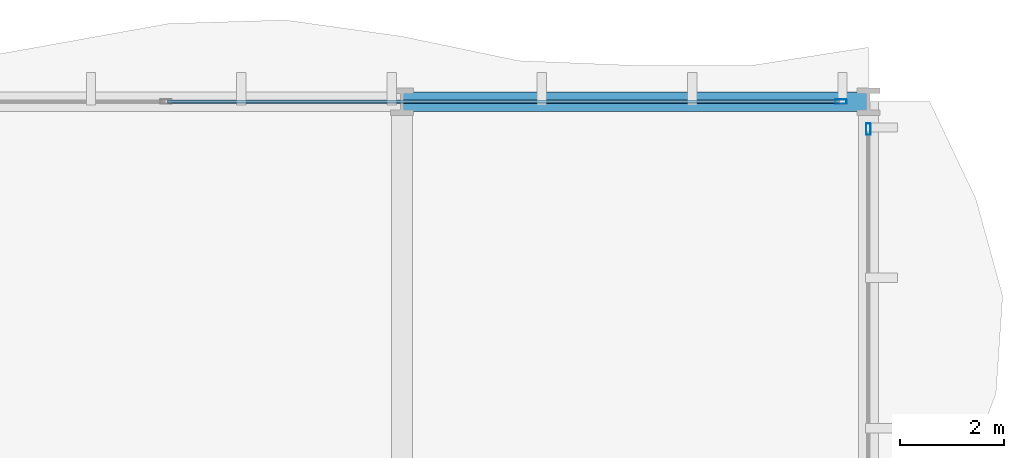
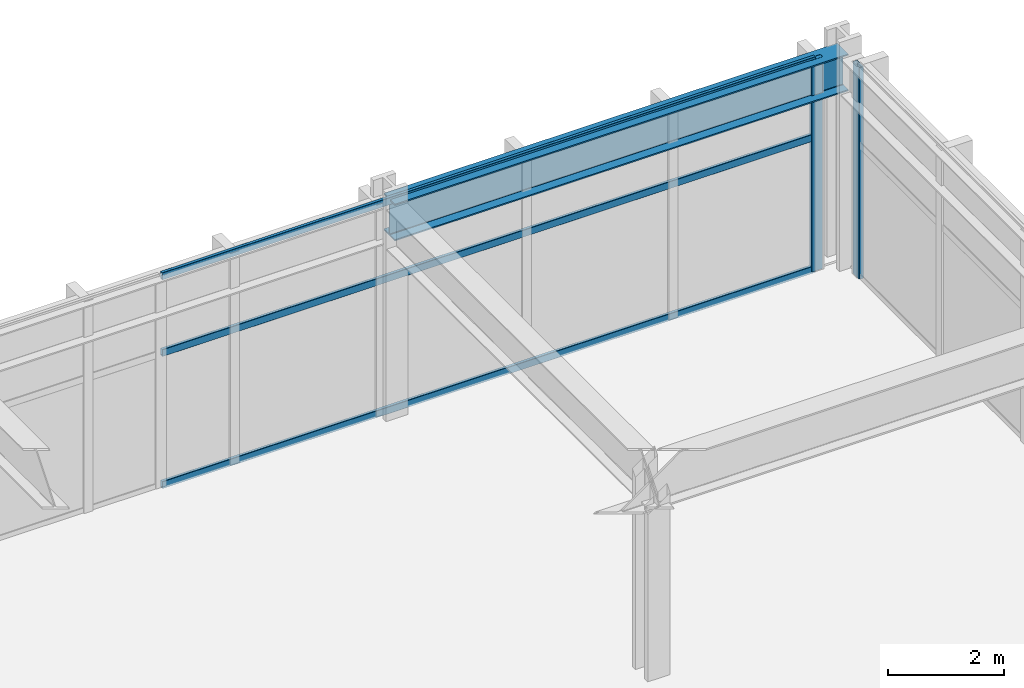
# One storey, part 20 of 31: 5 members, 1 beam, 2 elements without a shape of their own.
"""IFC4 building model written with IfcOpenShell, lengths in metres."""

from ifc_helpers import new_model, si_unit, direction, frame, origin, origin_2d, place, context, subcontext, project, spatial, hollow_rectangle, i_section, extrude, material, layer, layer_set, material_profile, profile_set, type_object, element, aggregate, save


model = new_model("IFC4")

# Units and contexts
model_context = context("Model", 3, precision=1e-05, world=origin(), true_north=direction((0.0, 1.0)))
body_context = subcontext(model_context, "Body", "Model", "MODEL_VIEW")
ifc_project = project(units=[si_unit("LENGTHUNIT", "METRE"), si_unit("AREAUNIT", "SQUARE_METRE"), si_unit("VOLUMEUNIT", "CUBIC_METRE"), si_unit("PLANEANGLEUNIT", "RADIAN"), si_unit("MASSUNIT", "GRAM", prefix="KILO")], contexts=[model_context])

# Site, building, storey
site_placement = place(None, origin())
site = spatial("IfcSite", under=ifc_project, at=site_placement, CompositionType="ELEMENT")
building_placement = place(site_placement, origin())
building = spatial("IfcBuilding", under=site, at=building_placement, Name="Solvaryn Broadcast Tower", CompositionType="ELEMENT")
storey_placement = place(building_placement, frame((0.0, 0.0, 26.0)))
storey = spatial("IfcBuildingStorey", under=building, at=storey_placement, Name="L05", CompositionType="ELEMENT", Elevation=26.0)

# Beam
ifc_material_1 = material(Name="Steel ASTM A992 Grade 50", Category="steel")
ifc_material_profile_1 = material_profile(ifc_material_1, i_section(OverallWidth=0.381103515625, OverallDepth=0.77294921875, WebThickness=0.0166015625, FlangeThickness=0.027099609375, FilletRadius=0.01806640625, at=origin_2d()))
ifc_profile_set_1 = profile_set([ifc_material_profile_1], Name="Steel ASTM A992 Grade 50")
beam_type = type_object("IfcBeamType", Name="BM-SP1-W30X173", PredefinedType="USERDEFINED", material=ifc_profile_set_1)
beam_placement = place(storey_placement, frame((54.0, 54.0, 4.053466796875), z_axis=(1.0, 0.0, 0.0), x_axis=(0.0, 1.0, 0.0)))
element("IfcBeam", 1, at=beam_placement, inside=storey, type_object=beam_type, Name="L05 Spandrel Beam X (54-63 @ Y=54)", ObjectType="SPANDREL", PredefinedType="USERDEFINED", context=body_context, shape_type="SweptSolid", body=[
    extrude(i_section(OverallWidth=0.381103515625, OverallDepth=0.77294921875, WebThickness=0.0166015625, FlangeThickness=0.027099609375, FilletRadius=0.01806640625, at=origin_2d()), origin(), (0.0, 0.0, 1.0), 9.0),
])

# Curtain wall, member
ifc_material_2 = material(Name="Aluminium and Terracotta Unitised Curtain Wall", Category="masonry")
ifc_layer = layer(ifc_material_2, 0.219970703125)
ifc_layer_set = layer_set([ifc_layer], Name="CW-SYS1-PODIUM")
curtain_wall_type = type_object("IfcCurtainWallType", Name="CW-SYS1-PODIUM", PredefinedType="NOTDEFINED", material=ifc_layer_set)
curtain_wall_1_placement = place(storey_placement, origin())
curtain_wall_1 = element("IfcCurtainWall", 2, at=curtain_wall_1_placement, inside=storey, type_object=curtain_wall_type, Name="L05 Podium Curtain Wall N2", PredefinedType="NOTDEFINED")
ifc_material_3 = material(Name="Anodised Aluminium 6063-T6", Category="aluminium")
ifc_material_profile_2 = material_profile(ifc_material_3, hollow_rectangle(XDim=0.0849609375, YDim=0.219970703125, WallThickness=0.0048828125, InnerFilletRadius=0.0048828125, OuterFilletRadius=0.010009765625, at=origin_2d()))
ifc_profile_set_2 = profile_set([ifc_material_profile_2], Name="Anodised Aluminium 6063-T6")
member_type_1 = type_object("IfcMemberType", Name="CW-MUL-220", PredefinedType="MULLION", material=ifc_profile_set_2)
member_1_placement = place(storey_placement, frame((62.469970703125, 54.0, 0.0), z_axis=(0.0, 0.0, 1.0), x_axis=(0.0, 1.0, 0.0)))
member_1 = element("IfcMember", 3, at=member_1_placement, type_object=member_type_1, Name="CWS1 mullion 3", PredefinedType="MULLION", context=body_context, shape_type="SweptSolid", body=[
    extrude(hollow_rectangle(XDim=0.0849609375, YDim=0.219970703125, WallThickness=0.0048828125, InnerFilletRadius=0.0048828125, OuterFilletRadius=0.010009765625, at=origin_2d()), origin(), (0.0, 0.0, 1.0), 4.43994140625),
])

curtain_wall_2_placement = place(storey_placement, origin())
curtain_wall_2 = element("IfcCurtainWall", 4, at=curtain_wall_2_placement, inside=storey, type_object=curtain_wall_type, Name="L05 Podium Curtain Wall E1", PredefinedType="NOTDEFINED")
member_2_placement = place(storey_placement, frame((63.0, 53.469970703125, 0.0), z_axis=(0.0, 0.0, 1.0), x_axis=(1.0, 0.0, 0.0)))
member_2 = element("IfcMember", 5, at=member_2_placement, type_object=member_type_1, Name="CWS1 mullion 1", PredefinedType="MULLION", context=body_context, shape_type="SweptSolid", body=[
    extrude(hollow_rectangle(XDim=0.0849609375, YDim=0.219970703125, WallThickness=0.0048828125, InnerFilletRadius=0.0048828125, OuterFilletRadius=0.010009765625, at=origin_2d()), origin(), (0.0, 0.0, 1.0), 4.43994140625),
])
aggregate(curtain_wall_2, [member_2])

# Member
ifc_material_4 = material(Name="Anodised Aluminium 6063-T6", Category="aluminium")
ifc_material_profile_3 = material_profile(ifc_material_4, hollow_rectangle(XDim=0.06494140625, YDim=0.14990234375, WallThickness=0.00390625, InnerFilletRadius=0.00390625, OuterFilletRadius=0.008056640625, at=origin_2d()))
ifc_profile_set_3 = profile_set([ifc_material_profile_3], Name="Anodised Aluminium 6063-T6")
member_type_2 = type_object("IfcMemberType", Name="CW-TRN-150", PredefinedType="USERDEFINED", material=ifc_profile_set_3)
member_3_placement = place(storey_placement, frame((49.47998046875, 54.0, 0.030029296875), z_axis=(1.0, 0.0, 0.0), x_axis=(0.0, 1.0, 0.0)))
member_3 = element("IfcMember", 6, at=member_3_placement, type_object=member_type_2, Name="CWS1 transom 2.1", ObjectType="TRANSOM", PredefinedType="USERDEFINED", context=body_context, shape_type="SweptSolid", body=[
    extrude(hollow_rectangle(XDim=0.06494140625, YDim=0.14990234375, WallThickness=0.00390625, InnerFilletRadius=0.00390625, OuterFilletRadius=0.008056640625, at=origin_2d()), origin(), (0.0, 0.0, 1.0), 12.9599609375),
])

member_4_placement = place(storey_placement, frame((49.47998046875, 54.0, 2.800048828125), z_axis=(1.0, 0.0, 0.0), x_axis=(0.0, 1.0, 0.0)))
member_4 = element("IfcMember", 7, at=member_4_placement, type_object=member_type_2, Name="CWS1 transom 2.2", ObjectType="TRANSOM", PredefinedType="USERDEFINED", context=body_context, shape_type="SweptSolid", body=[
    extrude(hollow_rectangle(XDim=0.06494140625, YDim=0.14990234375, WallThickness=0.00390625, InnerFilletRadius=0.00390625, OuterFilletRadius=0.008056640625, at=origin_2d()), origin(), (0.0, 0.0, 1.0), 12.9599609375),
])

member_5_placement = place(storey_placement, frame((49.47998046875, 54.0, 4.409912109375), z_axis=(1.0, 0.0, 0.0), x_axis=(0.0, 1.0, 0.0)))
member_5 = element("IfcMember", 8, at=member_5_placement, type_object=member_type_2, Name="CWS1 transom 2.3", ObjectType="TRANSOM", PredefinedType="USERDEFINED", context=body_context, shape_type="SweptSolid", body=[
    extrude(hollow_rectangle(XDim=0.06494140625, YDim=0.14990234375, WallThickness=0.00390625, InnerFilletRadius=0.00390625, OuterFilletRadius=0.008056640625, at=origin_2d()), origin(), (0.0, 0.0, 1.0), 12.9599609375),
])

aggregate(curtain_wall_1, [member_1, member_3, member_4, member_5])

save(model, "model.ifc")
